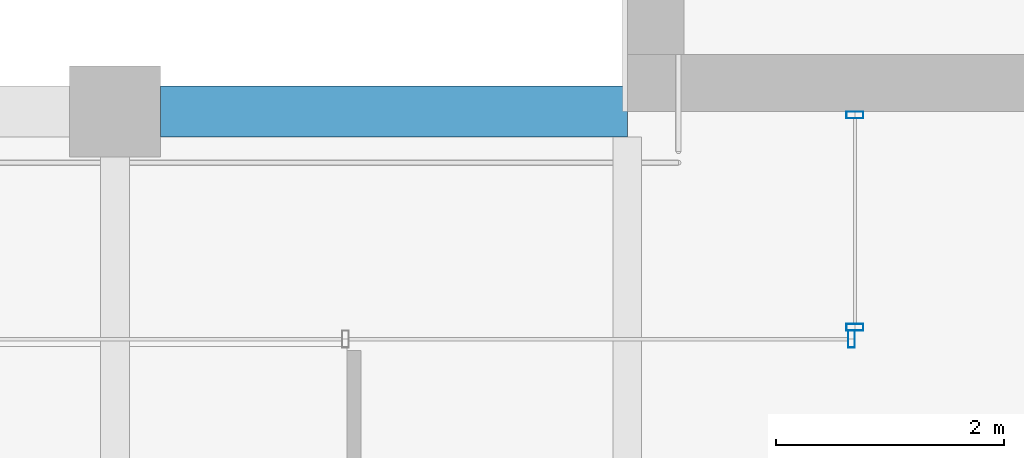
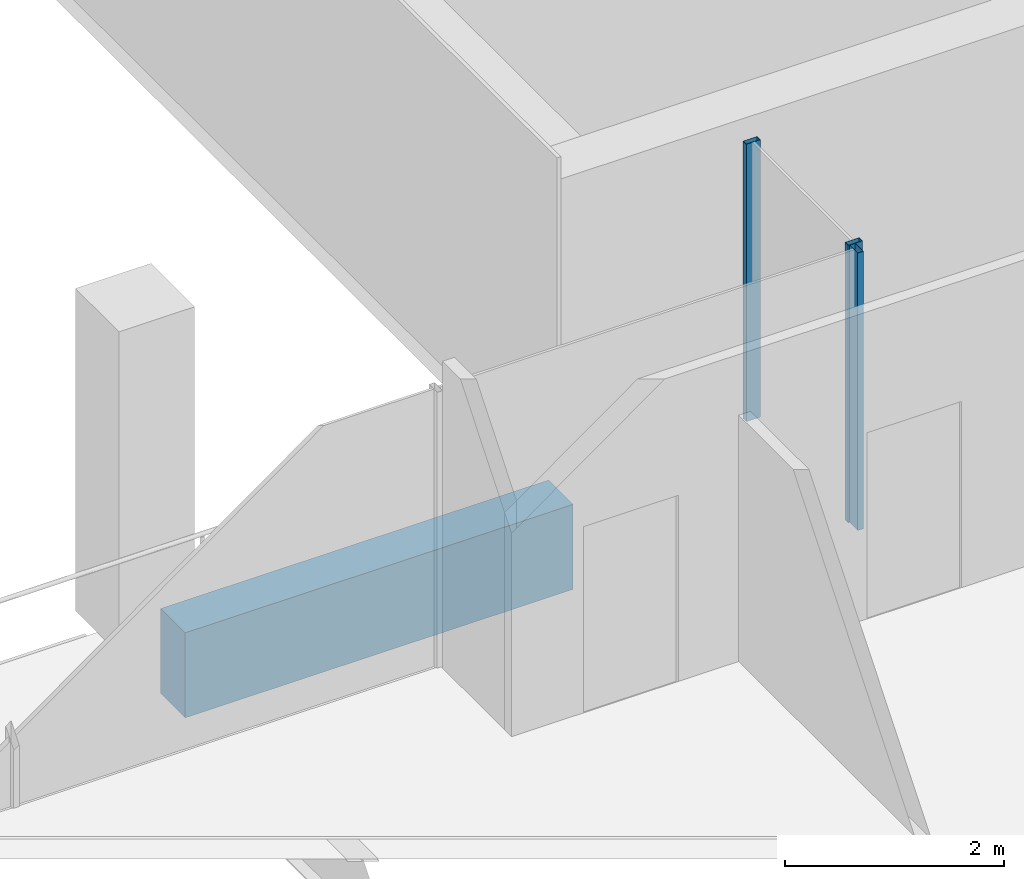
# One storey, part 6 of 30: 3 members, 1 beam, 2 elements without a shape of their own.
"""IFC4 building model written with IfcOpenShell, lengths in metres."""

from ifc_helpers import new_model, si_unit, direction, frame, origin, origin_2d, place, context, subcontext, project, spatial, rectangle, hollow_rectangle, extrude, material, material_profile, profile_set, type_object, element, aggregate, save


model = new_model("IFC4")

# Units and contexts
model_context = context("Model", 3, precision=1e-05, world=origin(), true_north=direction((0.0, 1.0)))
body_context = subcontext(model_context, "Body", "Model", "MODEL_VIEW")
ifc_project = project(units=[si_unit("LENGTHUNIT", "METRE"), si_unit("AREAUNIT", "SQUARE_METRE"), si_unit("VOLUMEUNIT", "CUBIC_METRE"), si_unit("PLANEANGLEUNIT", "RADIAN"), si_unit("MASSUNIT", "GRAM", prefix="KILO")], contexts=[model_context])

# Site, building, storey
site_placement = place(None, origin())
site = spatial("IfcSite", under=ifc_project, at=site_placement, CompositionType="ELEMENT")
building_placement = place(site_placement, origin())
building = spatial("IfcBuilding", under=site, at=building_placement, Name="Altepetl Exchange Towers", CompositionType="ELEMENT")
storey_placement = place(building_placement, frame((0.0, 0.0, 228.0)))
storey = spatial("IfcBuildingStorey", under=building, at=storey_placement, Name="L58", CompositionType="ELEMENT", Elevation=228.0)

# Curtain wall, members
ifc_material_1 = material(Name="Aluminium 6063-T6 glazing", Category="aluminium")
curtain_wall_type = type_object("IfcCurtainWallType", Name="Loggia glazing system", PredefinedType="NOTDEFINED", material=ifc_material_1)
curtain_wall_1_placement = place(storey_placement, origin())
curtain_wall_1 = element("IfcCurtainWall", 1, at=curtain_wall_1_placement, inside=storey, type_object=curtain_wall_type, Name="CW1 run", PredefinedType="NOTDEFINED")
ifc_material_2 = material(Name="Aluminium 6063-T6", Category="aluminium")
ifc_material_profile_1 = material_profile(ifc_material_2, hollow_rectangle(XDim=0.06005859375, YDim=0.14990234375, WallThickness=0.0029296875, at=origin_2d()), Name="Mullion 60x150 aluminium")
ifc_profile_set_1 = profile_set([ifc_material_profile_1], Name="Aluminium 6063-T6")
member_type = type_object("IfcMemberType", Name="Mullion 60x150 aluminium", PredefinedType="MULLION", material=ifc_profile_set_1)
member_1_placement = place(storey_placement, frame((42.5, 40.469970703125, 0.0), z_axis=(0.0, 0.0, 1.0), x_axis=(0.0, -1.0, 0.0)))
member_1 = element("IfcMember", 2, at=member_1_placement, type_object=member_type, Name="MU1 mullion", PredefinedType="MULLION", context=body_context, shape_type="SweptSolid", body=[
    extrude(hollow_rectangle(XDim=0.06005859375, YDim=0.14990234375, WallThickness=0.0029296875, at=origin_2d()), origin(), (0.0, 0.0, 1.0), 3.10009765625),
])
member_2_placement = place(storey_placement, frame((42.5, 38.60498046875, 0.0), z_axis=(0.0, 0.0, 1.0), x_axis=(0.0, -1.0, 0.0)))
member_2 = element("IfcMember", 3, at=member_2_placement, type_object=member_type, Name="MU1 mullion", PredefinedType="MULLION", context=body_context, shape_type="SweptSolid", body=[
    extrude(hollow_rectangle(XDim=0.06005859375, YDim=0.14990234375, WallThickness=0.0029296875, at=origin_2d()), origin(), (0.0, 0.0, 1.0), 3.10009765625),
])
aggregate(curtain_wall_1, [member_1, member_2])

# Curtain wall, member
curtain_wall_2_placement = place(storey_placement, origin())
curtain_wall_2 = element("IfcCurtainWall", 4, at=curtain_wall_2_placement, inside=storey, type_object=curtain_wall_type, Name="CW1 run", PredefinedType="NOTDEFINED")
member_3_placement = place(storey_placement, frame((42.469970703125, 38.5, 0.0), z_axis=(0.0, 0.0, 1.0), x_axis=(-1.0, 0.0, 0.0)))
member_3 = element("IfcMember", 5, at=member_3_placement, type_object=member_type, Name="MU1 mullion", PredefinedType="MULLION", context=body_context, shape_type="SweptSolid", body=[
    extrude(hollow_rectangle(XDim=0.06005859375, YDim=0.14990234375, WallThickness=0.0029296875, at=origin_2d()), origin(), (0.0, 0.0, 1.0), 3.10009765625),
])
aggregate(curtain_wall_2, [member_3])

# Beam
ifc_material_3 = material(Name="Concrete C50/60 precast with tezontle facing", Category="concrete")
ifc_material_profile_2 = material_profile(ifc_material_3, rectangle(XDim=0.449951171875, YDim=0.949951171875, at=origin_2d()), Name="450 x 950")
ifc_profile_set_2 = profile_set([ifc_material_profile_2], Name="Concrete C50/60 precast with tezontle facing")
beam_type = type_object("IfcBeamType", Name="Spandrel beam 450x950 tezontle", PredefinedType="SPANDREL", material=ifc_profile_set_2)
beam_placement = place(storey_placement, frame((40.5, 40.5, -0.625), z_axis=(-1.0, 0.0, 0.0), x_axis=(0.0, -1.0, 0.0)))
element("IfcBeam", 6, at=beam_placement, inside=storey, type_object=beam_type, Name="sp:A:L58:033", PredefinedType="SPANDREL", context=body_context, shape_type="SweptSolid", body=[
    extrude(rectangle(XDim=0.449951171875, YDim=0.949951171875, at=origin_2d()), origin(), (0.0, 0.0, 1.0), 4.10009765625),
])

save(model, "model.ifc")
